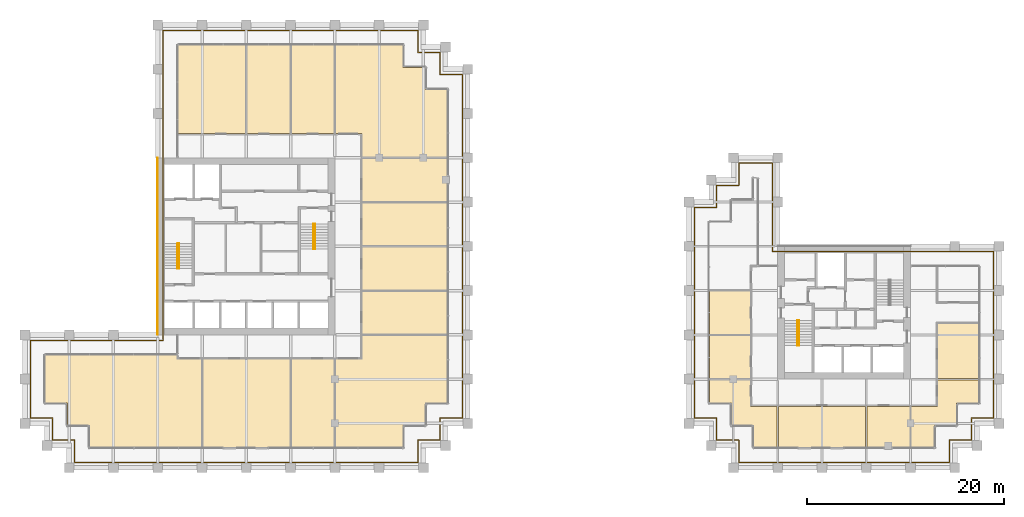
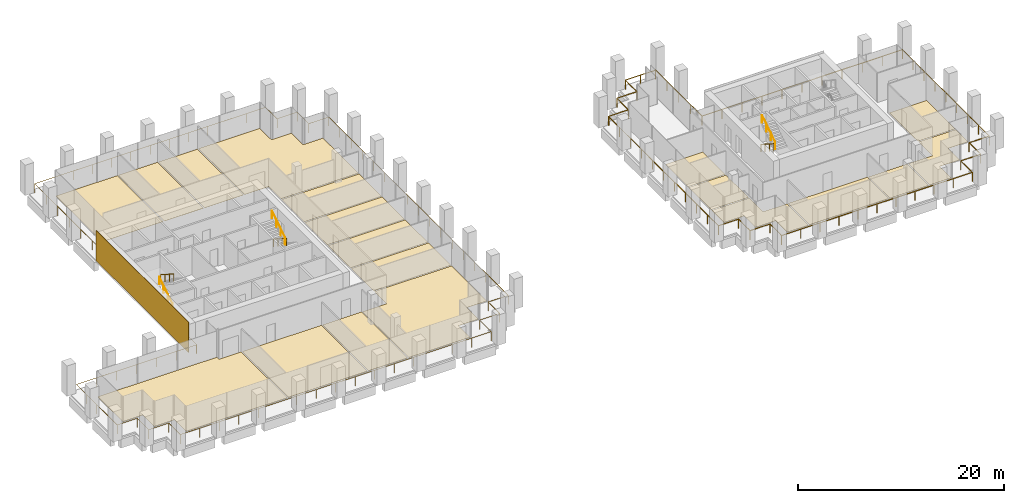
# One storey, part 46 of 47: 20 coverings, 8 railings.
"""IFC4 building model written with IfcOpenShell, lengths in metres."""

from ifc_helpers import new_model, si_unit, direction, frame, origin, origin_2d, place, context, subcontext, project, spatial, polyline, rectangle, circle, outline, extrude, source, transform, mapped, material, layer, layer_set, type_object, element, save


model = new_model("IFC4")

# Units and contexts
model_context = context("Model", 3, precision=1e-05, world=origin(), true_north=direction((0.0, 1.0)))
body_context = subcontext(model_context, "Body", "Model", "MODEL_VIEW")
ifc_project = project(units=[si_unit("LENGTHUNIT", "METRE"), si_unit("AREAUNIT", "SQUARE_METRE"), si_unit("VOLUMEUNIT", "CUBIC_METRE"), si_unit("PLANEANGLEUNIT", "RADIAN"), si_unit("MASSUNIT", "GRAM", prefix="KILO")], contexts=[model_context])

# Site, building, storey
site_placement = place(None, origin())
site = spatial("IfcSite", under=ifc_project, at=site_placement, CompositionType="ELEMENT")
building_placement = place(site_placement, origin())
building = spatial("IfcBuilding", under=site, at=building_placement, Name="Altepetl Exchange Towers", CompositionType="ELEMENT")
storey_placement = place(building_placement, frame((0.0, 0.0, 99.199951171875)))
storey = spatial("IfcBuildingStorey", under=building, at=storey_placement, Name="L24", CompositionType="ELEMENT", Elevation=99.199951171875)

# Coverings
ifc_material_1 = material(Name="Carpet tile")
ifc_layer_1 = layer(ifc_material_1, 0.02001953125)
ifc_layer_set_1 = layer_set([ifc_layer_1], Name="Carpet tile")
covering_type_1 = type_object("IfcCoveringType", Name="Carpet tile floor", PredefinedType="FLOORING", material=ifc_layer_set_1)
covering_1_placement = place(storey_placement, origin())
element("IfcCovering", 1, at=covering_1_placement, inside=storey, type_object=covering_type_1, Name="Open office floor finish A24.01", PredefinedType="FLOORING", context=body_context, shape_type="SweptSolid", body=[
    extrude(outline(polyline([(33.5625, 29.0625), (44.9375, 29.0625), (44.9375, 38.03759765625), (42.4375, 38.03759765625), (42.4375, 38.4375), (29.0625, 38.4375), (29.0625, 33.5625), (31.3125, 33.5625), (31.3125, 31.3125), (33.5625, 31.3125), (33.5625, 29.0625)])), origin(), (0.0, 0.0, 1.0), 0.02001953125),
])
covering_2_placement = place(storey_placement, origin())
element("IfcCovering", 2, at=covering_2_placement, inside=storey, type_object=covering_type_1, Name="Cowork office floor finish A24.04", PredefinedType="FLOORING", context=body_context, shape_type="SweptSolid", body=[
    extrude(outline(polyline([(58.5625, 38.03759765625), (58.5625, 29.0625), (65.4375, 29.0625), (65.4375, 31.3125), (67.6875, 31.3125), (67.6875, 33.5625), (69.9375, 33.5625), (69.9375, 40.4375), (61.262451171875, 40.4375), (61.262451171875, 38.03759765625), (58.5625, 38.03759765625)])), origin(), (0.0, 0.0, 1.0), 0.02001953125),
])
covering_3_placement = place(storey_placement, origin())
element("IfcCovering", 3, at=covering_3_placement, inside=storey, type_object=covering_type_1, Name="Meeting room floor finish A24.05", PredefinedType="FLOORING", context=body_context, shape_type="SweptSolid", body=[
    extrude(outline(polyline([(69.9375, 44.9375), (61.262451171875, 44.9375), (61.262451171875, 40.5625), (69.9375, 40.5625), (69.9375, 44.9375)])), origin(), (0.0, 0.0, 1.0), 0.02001953125),
])
covering_4_placement = place(storey_placement, origin())
element("IfcCovering", 4, at=covering_4_placement, inside=storey, type_object=covering_type_1, Name="Training room floor finish A24.06", PredefinedType="FLOORING", context=body_context, shape_type="SweptSolid", body=[
    extrude(outline(polyline([(69.9375, 49.4375), (61.262451171875, 49.4375), (61.262451171875, 45.0625), (69.9375, 45.0625), (69.9375, 49.4375)])), origin(), (0.0, 0.0, 1.0), 0.02001953125),
])
covering_5_placement = place(storey_placement, origin())
element("IfcCovering", 5, at=covering_5_placement, inside=storey, type_object=covering_type_1, Name="Meeting room floor finish A24.07", PredefinedType="FLOORING", context=body_context, shape_type="SweptSolid", body=[
    extrude(outline(polyline([(69.9375, 53.9375), (61.262451171875, 53.9375), (61.262451171875, 49.5625), (69.9375, 49.5625), (69.9375, 53.9375)])), origin(), (0.0, 0.0, 1.0), 0.02001953125),
])
covering_6_placement = place(storey_placement, origin())
element("IfcCovering", 6, at=covering_6_placement, inside=storey, type_object=covering_type_1, Name="Training room floor finish A24.08", PredefinedType="FLOORING", context=body_context, shape_type="SweptSolid", body=[
    extrude(outline(polyline([(69.9375, 58.4375), (61.262451171875, 58.4375), (61.262451171875, 54.0625), (69.9375, 54.0625), (69.9375, 58.4375)])), origin(), (0.0, 0.0, 1.0), 0.02001953125),
])
covering_7_placement = place(storey_placement, origin())
element("IfcCovering", 7, at=covering_7_placement, inside=storey, type_object=covering_type_1, Name="Cowork office floor finish A24.10", PredefinedType="FLOORING", context=body_context, shape_type="SweptSolid", body=[
    extrude(outline(polyline([(58.4375, 60.96240234375), (58.4375, 69.9375), (54.0625, 69.9375), (54.0625, 60.96240234375), (58.4375, 60.96240234375)])), origin(), (0.0, 0.0, 1.0), 0.02001953125),
])
covering_8_placement = place(storey_placement, origin())
element("IfcCovering", 8, at=covering_8_placement, inside=storey, type_object=covering_type_1, Name="Open office floor finish A24.12", PredefinedType="FLOORING", context=body_context, shape_type="SweptSolid", body=[
    extrude(outline(polyline([(49.4375, 60.96240234375), (49.4375, 69.9375), (42.5625, 69.9375), (42.5625, 60.96240234375), (49.4375, 60.96240234375)])), origin(), (0.0, 0.0, 1.0), 0.02001953125),
])
covering_9_placement = place(storey_placement, origin())
element("IfcCovering", 9, at=covering_9_placement, inside=storey, type_object=covering_type_1, Name="Huddle room floor finish B24.01", PredefinedType="FLOORING", context=body_context, shape_type="SweptSolid", body=[
    extrude(outline(polyline([(100.737548828125, 44.9375), (96.5625, 44.9375), (96.5625, 40.5625), (100.737548828125, 40.5625), (100.737548828125, 44.9375)])), origin(), (0.0, 0.0, 1.0), 0.02001953125),
])
covering_10_placement = place(storey_placement, origin())
element("IfcCovering", 10, at=covering_10_placement, inside=storey, type_object=covering_type_1, Name="Huddle room floor finish B24.02", PredefinedType="FLOORING", context=body_context, shape_type="SweptSolid", body=[
    extrude(outline(polyline([(100.737548828125, 40.4375), (96.5625, 40.4375), (96.5625, 36.0625), (100.737548828125, 36.0625), (100.737548828125, 40.4375)])), origin(), (0.0, 0.0, 1.0), 0.02001953125),
])
covering_11_placement = place(storey_placement, origin())
element("IfcCovering", 11, at=covering_11_placement, inside=storey, type_object=covering_type_1, Name="Open office floor finish B24.03", PredefinedType="FLOORING", context=body_context, shape_type="SweptSolid", body=[
    extrude(outline(polyline([(100.737548828125, 35.9375), (96.5625, 35.9375), (96.5625, 33.5625), (98.8125, 33.5625), (98.8125, 31.3125), (101.0625, 31.3125), (101.0625, 29.0625), (103.4375, 29.0625), (103.4375, 33.237548828125), (100.737548828125, 33.237548828125), (100.737548828125, 35.9375)])), origin(), (0.0, 0.0, 1.0), 0.02001953125),
])
covering_12_placement = place(storey_placement, origin())
element("IfcCovering", 12, at=covering_12_placement, inside=storey, type_object=covering_type_1, Name="Huddle room floor finish B24.05", PredefinedType="FLOORING", context=body_context, shape_type="SweptSolid", body=[
    extrude(outline(polyline([(112.5625, 33.237548828125), (112.5625, 29.0625), (116.9375, 29.0625), (116.9375, 33.237548828125), (112.5625, 33.237548828125)])), origin(), (0.0, 0.0, 1.0), 0.02001953125),
])
covering_13_placement = place(storey_placement, origin())
element("IfcCovering", 13, at=covering_13_placement, inside=storey, type_object=covering_type_1, Name="Open office floor finish B24.06", PredefinedType="FLOORING", context=body_context, shape_type="SweptSolid", body=[
    extrude(outline(polyline([(117.0625, 33.237548828125), (117.0625, 29.0625), (119.4375, 29.0625), (119.4375, 31.3125), (121.6875, 31.3125), (121.6875, 33.5625), (123.9375, 33.5625), (123.9375, 35.9375), (119.762451171875, 35.9375), (119.762451171875, 33.237548828125), (117.0625, 33.237548828125)])), origin(), (0.0, 0.0, 1.0), 0.02001953125),
])
covering_14_placement = place(storey_placement, origin())
element("IfcCovering", 14, at=covering_14_placement, inside=storey, type_object=covering_type_1, Name="Research office floor finish B24.07", PredefinedType="FLOORING", context=body_context, shape_type="SweptSolid", body=[
    extrude(outline(polyline([(119.762451171875, 41.637451171875), (119.762451171875, 36.0625), (123.9375, 36.0625), (123.9375, 41.637451171875), (119.762451171875, 41.637451171875)])), origin(), (0.0, 0.0, 1.0), 0.02001953125),
])
ifc_material_2 = material(Name="Cantera stone", Category="masonry")
ifc_layer_2 = layer(ifc_material_2, 0.030029296875)
ifc_layer_set_2 = layer_set([ifc_layer_2], Name="Cantera stone")
covering_type_2 = type_object("IfcCoveringType", Name="Polished stone floor", PredefinedType="FLOORING", material=ifc_layer_set_2)
covering_15_placement = place(storey_placement, origin())
element("IfcCovering", 15, at=covering_15_placement, inside=storey, type_object=covering_type_2, Name="Cafe floor finish A24.02", PredefinedType="FLOORING", context=body_context, shape_type="SweptSolid", body=[
    extrude(outline(polyline([(45.0625, 38.03759765625), (45.0625, 29.0625), (53.9375, 29.0625), (53.9375, 38.03759765625), (45.0625, 38.03759765625)])), origin(), (0.0, 0.0, 1.0), 0.030029296875),
])
covering_16_placement = place(storey_placement, origin())
element("IfcCovering", 16, at=covering_16_placement, inside=storey, type_object=covering_type_2, Name="Cafe floor finish A24.03", PredefinedType="FLOORING", context=body_context, shape_type="SweptSolid", body=[
    extrude(outline(polyline([(54.0625, 38.03759765625), (54.0625, 29.0625), (58.4375, 29.0625), (58.4375, 38.03759765625), (54.0625, 38.03759765625)])), origin(), (0.0, 0.0, 1.0), 0.030029296875),
])
covering_17_placement = place(storey_placement, origin())
element("IfcCovering", 17, at=covering_17_placement, inside=storey, type_object=covering_type_2, Name="Cafe floor finish A24.09", PredefinedType="FLOORING", context=body_context, shape_type="SweptSolid", body=[
    extrude(outline(polyline([(65.4375, 69.9375), (58.5625, 69.9375), (58.5625, 60.96240234375), (61.262451171875, 60.96240234375), (61.262451171875, 58.5625), (69.9375, 58.5625), (69.9375, 65.4375), (67.6875, 65.4375), (67.6875, 67.6875), (65.4375, 67.6875), (65.4375, 69.9375)])), origin(), (0.0, 0.0, 1.0), 0.030029296875),
])
covering_18_placement = place(storey_placement, origin())
element("IfcCovering", 18, at=covering_18_placement, inside=storey, type_object=covering_type_2, Name="Cafe floor finish A24.11", PredefinedType="FLOORING", context=body_context, shape_type="SweptSolid", body=[
    extrude(outline(polyline([(53.9375, 60.96240234375), (53.9375, 69.9375), (49.5625, 69.9375), (49.5625, 60.96240234375), (53.9375, 60.96240234375)])), origin(), (0.0, 0.0, 1.0), 0.030029296875),
])
covering_19_placement = place(storey_placement, origin())
element("IfcCovering", 19, at=covering_19_placement, inside=storey, type_object=covering_type_2, Name="Staff club floor finish B24.04", PredefinedType="FLOORING", context=body_context, shape_type="SweptSolid", body=[
    extrude(outline(polyline([(103.5625, 33.237548828125), (103.5625, 29.0625), (112.4375, 29.0625), (112.4375, 33.237548828125), (103.5625, 33.237548828125)])), origin(), (0.0, 0.0, 1.0), 0.030029296875),
])
ifc_material_3 = material(Name="Cantera limestone cladding", Category="masonry")
ifc_layer_3 = layer(ifc_material_3, 0.0400390625)
ifc_layer_set_3 = layer_set([ifc_layer_3], Name="Cantera limestone cladding")
covering_type_3 = type_object("IfcCoveringType", Name="Stone panel 40 cantera", PredefinedType="CLADDING", material=ifc_layer_set_3)
covering_20_placement = place(storey_placement, frame((40.47998046875, 49.5, 0.0), z_axis=(0.0, 0.0, 1.0), x_axis=(0.0, -1.0, 0.0)))
element("IfcCovering", 20, at=covering_20_placement, inside=storey, type_object=covering_type_3, Name="Stone cladding panel", PredefinedType="CLADDING", context=body_context, shape_type="SweptSolid", body=[
    extrude(rectangle(XDim=18.0, YDim=0.0400390625, at=origin_2d()), origin(), (0.0, 0.0, 1.0), 3.60009765625),
])

# Railings
ifc_material_4 = material(Name="Steel S355", Category="steel")
railing_type_1 = type_object("IfcRailingType", Name="Guard 1100 steel posts and rail", PredefinedType="GUARDRAIL", material=ifc_material_4)
shared_shape_1 = source(origin(), body_context, "Body", "SweptSolid", [
    extrude(circle(Radius=0.02099609375, at=origin_2d()), origin(), (0.0, 0.0, 1.0), 1.052001953125),
])
railing_1_placement = place(storey_placement, frame((41.050048828125, 39.949951171875, 0.0)))
element("IfcRailing", 21, at=railing_1_placement, inside=storey, type_object=railing_type_1, Name="Loggia guard", PredefinedType="GUARDRAIL", context=body_context, shape_type="SweptSolid", body=[
    extrude(circle(Radius=0.02392578125, at=origin_2d()), frame((0.0, 0.0, 1.076171875), z_axis=(-1.0, 0.0, 0.0), x_axis=(0.0, -1.0, 0.0)), (0.0, 0.0, 1.0), 13.5),
    extrude(circle(Radius=0.02392578125, at=origin_2d()), frame((-13.5, 0.0, 1.076171875), z_axis=(0.0, -1.0, 0.0), x_axis=(1.0, 0.0, 0.0)), (0.0, 0.0, 1.0), 7.89990234375),
    extrude(circle(Radius=0.02392578125, at=origin_2d()), frame((-13.5, -7.89990234375, 1.076171875), z_axis=(1.0, 0.0, 0.0), x_axis=(0.0, 1.0, 0.0)), (0.0, 0.0, 1.0), 2.25),
    extrude(circle(Radius=0.02392578125, at=origin_2d()), frame((-11.25, -7.89990234375, 1.076171875), z_axis=(0.0, -1.0, 0.0), x_axis=(1.0, 0.0, 0.0)), (0.0, 0.0, 1.0), 2.25),
    extrude(circle(Radius=0.02392578125, at=origin_2d()), frame((-11.25, -10.14990234375, 1.076171875), z_axis=(1.0, 0.0, 0.0), x_axis=(0.0, 1.0, 0.0)), (0.0, 0.0, 1.0), 2.25),
    extrude(circle(Radius=0.02392578125, at=origin_2d()), frame((-9.0, -10.14990234375, 1.076171875), z_axis=(0.0, -1.0, 0.0), x_axis=(1.0, 0.0, 0.0)), (0.0, 0.0, 1.0), 2.25),
    extrude(circle(Radius=0.02392578125, at=origin_2d()), frame((-9.0, -12.39990234375, 1.076171875), z_axis=(1.0, 0.0, 0.0), x_axis=(0.0, 1.0, 0.0)), (0.0, 0.0, 1.0), 34.89990234375),
    extrude(circle(Radius=0.02392578125, at=origin_2d()), frame((25.89990234375, -12.39990234375, 1.076171875), z_axis=(0.0, 1.0, 0.0), x_axis=(-1.0, 0.0, 0.0)), (0.0, 0.0, 1.0), 2.25),
    extrude(circle(Radius=0.02392578125, at=origin_2d()), frame((25.89990234375, -10.14990234375, 1.076171875), z_axis=(1.0, 0.0, 0.0), x_axis=(0.0, 1.0, 0.0)), (0.0, 0.0, 1.0), 2.25),
    extrude(circle(Radius=0.02392578125, at=origin_2d()), frame((28.14990234375, -10.14990234375, 1.076171875), z_axis=(0.0, 1.0, 0.0), x_axis=(-1.0, 0.0, 0.0)), (0.0, 0.0, 1.0), 2.25),
    extrude(circle(Radius=0.02392578125, at=origin_2d()), frame((28.14990234375, -7.89990234375, 1.076171875), z_axis=(1.0, 0.0, 0.0), x_axis=(0.0, 1.0, 0.0)), (0.0, 0.0, 1.0), 2.25),
    extrude(circle(Radius=0.02392578125, at=origin_2d()), frame((30.39990234375, -7.89990234375, 1.076171875), z_axis=(0.0, 1.0, 0.0), x_axis=(-1.0, 0.0, 0.0)), (0.0, 0.0, 1.0), 34.89990234375),
    extrude(circle(Radius=0.02392578125, at=origin_2d()), frame((30.39990234375, 27.0, 1.076171875), z_axis=(-1.0, 0.0, 0.0), x_axis=(0.0, -1.0, 0.0)), (0.0, 0.0, 1.0), 2.25),
    extrude(circle(Radius=0.02392578125, at=origin_2d()), frame((28.14990234375, 27.0, 1.076171875), z_axis=(0.0, 1.0, 0.0), x_axis=(-1.0, 0.0, 0.0)), (0.0, 0.0, 1.0), 2.25),
    extrude(circle(Radius=0.02392578125, at=origin_2d()), frame((28.14990234375, 29.25, 1.076171875), z_axis=(-1.0, 0.0, 0.0), x_axis=(0.0, -1.0, 0.0)), (0.0, 0.0, 1.0), 2.25),
    extrude(circle(Radius=0.02392578125, at=origin_2d()), frame((25.89990234375, 29.25, 1.076171875), z_axis=(0.0, 1.0, 0.0), x_axis=(-1.0, 0.0, 0.0)), (0.0, 0.0, 1.0), 2.25),
    extrude(circle(Radius=0.02392578125, at=origin_2d()), frame((25.89990234375, 31.5, 1.076171875), z_axis=(-1.0, 0.0, 0.0), x_axis=(0.0, -1.0, 0.0)), (0.0, 0.0, 1.0), 25.89990234375),
    extrude(circle(Radius=0.02392578125, at=origin_2d()), frame((0.0, 31.5, 1.076171875), z_axis=(0.0, -1.0, 0.0), x_axis=(1.0, 0.0, 0.0)), (0.0, 0.0, 1.0), 31.39990234375),
    mapped(shared_shape_1, transform((0.0, 0.0, 0.0))),
    mapped(shared_shape_1, transform((-2.25, 0.0, 0.0))),
    mapped(shared_shape_1, transform((-4.5, 0.0, 0.0))),
    mapped(shared_shape_1, transform((-6.75, 0.0, 0.0))),
    mapped(shared_shape_1, transform((-9.0, 0.0, 0.0))),
    mapped(shared_shape_1, transform((-11.25, 0.0, 0.0))),
    mapped(shared_shape_1, transform((-13.5, 0.0, 0.0))),
    mapped(shared_shape_1, transform((-13.5, -1.97509765625, 0.0))),
    mapped(shared_shape_1, transform((-13.5, -3.949951171875, 0.0))),
    mapped(shared_shape_1, transform((-13.5, -5.9248046875, 0.0))),
    mapped(shared_shape_1, transform((-13.5, -7.89990234375, 0.0))),
    mapped(shared_shape_1, transform((-11.25, -7.89990234375, 0.0))),
    mapped(shared_shape_1, transform((-11.25, -10.14990234375, 0.0))),
    mapped(shared_shape_1, transform((-9.0, -10.14990234375, 0.0))),
    mapped(shared_shape_1, transform((-9.0, -12.39990234375, 0.0))),
    mapped(shared_shape_1, transform((-6.81884765625, -12.39990234375, 0.0))),
    mapped(shared_shape_1, transform((-4.637451171875, -12.39990234375, 0.0))),
    mapped(shared_shape_1, transform((-2.456298828125, -12.39990234375, 0.0))),
    mapped(shared_shape_1, transform((-0.27490234375, -12.39990234375, 0.0))),
    mapped(shared_shape_1, transform((1.90625, -12.39990234375, 0.0))),
    mapped(shared_shape_1, transform((4.08740234375, -12.39990234375, 0.0))),
    mapped(shared_shape_1, transform((6.268798828125, -12.39990234375, 0.0))),
    mapped(shared_shape_1, transform((8.449951171875, -12.39990234375, 0.0))),
    mapped(shared_shape_1, transform((10.631103515625, -12.39990234375, 0.0))),
    mapped(shared_shape_1, transform((12.8125, -12.39990234375, 0.0))),
    mapped(shared_shape_1, transform((14.99365234375, -12.39990234375, 0.0))),
    mapped(shared_shape_1, transform((17.1748046875, -12.39990234375, 0.0))),
    mapped(shared_shape_1, transform((19.356201171875, -12.39990234375, 0.0))),
    mapped(shared_shape_1, transform((21.537353515625, -12.39990234375, 0.0))),
    mapped(shared_shape_1, transform((23.71875, -12.39990234375, 0.0))),
    mapped(shared_shape_1, transform((25.89990234375, -12.39990234375, 0.0))),
    mapped(shared_shape_1, transform((25.89990234375, -10.14990234375, 0.0))),
    mapped(shared_shape_1, transform((28.14990234375, -10.14990234375, 0.0))),
    mapped(shared_shape_1, transform((28.14990234375, -7.89990234375, 0.0))),
    mapped(shared_shape_1, transform((30.39990234375, -7.89990234375, 0.0))),
    mapped(shared_shape_1, transform((30.39990234375, -5.71875, 0.0))),
    mapped(shared_shape_1, transform((30.39990234375, -3.537353515625, 0.0))),
    mapped(shared_shape_1, transform((30.39990234375, -1.356201171875, 0.0))),
    mapped(shared_shape_1, transform((30.39990234375, 0.8251953125, 0.0))),
    mapped(shared_shape_1, transform((30.39990234375, 3.00634765625, 0.0))),
    mapped(shared_shape_1, transform((30.39990234375, 5.1875, 0.0))),
    mapped(shared_shape_1, transform((30.39990234375, 7.368896484375, 0.0))),
    mapped(shared_shape_1, transform((30.39990234375, 9.550048828125, 0.0))),
    mapped(shared_shape_1, transform((30.39990234375, 11.731201171875, 0.0))),
    mapped(shared_shape_1, transform((30.39990234375, 13.91259765625, 0.0))),
    mapped(shared_shape_1, transform((30.39990234375, 16.09375, 0.0))),
    mapped(shared_shape_1, transform((30.39990234375, 18.27490234375, 0.0))),
    mapped(shared_shape_1, transform((30.39990234375, 20.456298828125, 0.0))),
    mapped(shared_shape_1, transform((30.39990234375, 22.637451171875, 0.0))),
    mapped(shared_shape_1, transform((30.39990234375, 24.81884765625, 0.0))),
    mapped(shared_shape_1, transform((30.39990234375, 27.0, 0.0))),
    mapped(shared_shape_1, transform((28.14990234375, 27.0, 0.0))),
    mapped(shared_shape_1, transform((28.14990234375, 29.25, 0.0))),
    mapped(shared_shape_1, transform((25.89990234375, 29.25, 0.0))),
    mapped(shared_shape_1, transform((25.89990234375, 31.5, 0.0))),
    mapped(shared_shape_1, transform((23.74169921875, 31.5, 0.0))),
    mapped(shared_shape_1, transform((21.583251953125, 31.5, 0.0))),
    mapped(shared_shape_1, transform((19.4248046875, 31.5, 0.0))),
    mapped(shared_shape_1, transform((17.2666015625, 31.5, 0.0))),
    mapped(shared_shape_1, transform((15.1083984375, 31.5, 0.0))),
    mapped(shared_shape_1, transform((12.949951171875, 31.5, 0.0))),
    mapped(shared_shape_1, transform((10.79150390625, 31.5, 0.0))),
    mapped(shared_shape_1, transform((8.63330078125, 31.5, 0.0))),
    mapped(shared_shape_1, transform((6.47509765625, 31.5, 0.0))),
    mapped(shared_shape_1, transform((4.316650390625, 31.5, 0.0))),
    mapped(shared_shape_1, transform((2.158203125, 31.5, 0.0))),
    mapped(shared_shape_1, transform((0.0, 31.5, 0.0))),
    mapped(shared_shape_1, transform((0.0, 29.257080078125, 0.0))),
    mapped(shared_shape_1, transform((0.0, 27.014404296875, 0.0))),
    mapped(shared_shape_1, transform((0.0, 24.771484375, 0.0))),
    mapped(shared_shape_1, transform((0.0, 22.528564453125, 0.0))),
    mapped(shared_shape_1, transform((0.0, 20.28564453125, 0.0))),
    mapped(shared_shape_1, transform((0.0, 18.04296875, 0.0))),
    mapped(shared_shape_1, transform((0.0, 15.800048828125, 0.0))),
    mapped(shared_shape_1, transform((0.0, 13.55712890625, 0.0))),
    mapped(shared_shape_1, transform((0.0, 11.314453125, 0.0))),
    mapped(shared_shape_1, transform((0.0, 9.071533203125, 0.0))),
    mapped(shared_shape_1, transform((0.0, 6.82861328125, 0.0))),
    mapped(shared_shape_1, transform((0.0, 4.585693359375, 0.0))),
    mapped(shared_shape_1, transform((0.0, 2.343017578125, 0.0))),
    mapped(shared_shape_1, transform((0.0, 0.10009765625, 0.0))),
])
railing_2_placement = place(storey_placement, frame((95.050048828125, 53.449951171875, 0.0)))
element("IfcRailing", 22, at=railing_2_placement, inside=storey, type_object=railing_type_1, Name="Loggia guard", PredefinedType="GUARDRAIL", context=body_context, shape_type="SweptSolid", body=[
    extrude(circle(Radius=0.02392578125, at=origin_2d()), frame((0.0, 0.0, 1.076171875), z_axis=(0.0, -1.0, 0.0), x_axis=(1.0, 0.0, 0.0)), (0.0, 0.0, 1.0), 21.39990234375),
    extrude(circle(Radius=0.02392578125, at=origin_2d()), frame((0.0, -21.39990234375, 1.076171875), z_axis=(1.0, 0.0, 0.0), x_axis=(0.0, 1.0, 0.0)), (0.0, 0.0, 1.0), 2.25),
    extrude(circle(Radius=0.02392578125, at=origin_2d()), frame((2.25, -21.39990234375, 1.076171875), z_axis=(0.0, -1.0, 0.0), x_axis=(1.0, 0.0, 0.0)), (0.0, 0.0, 1.0), 2.25),
    extrude(circle(Radius=0.02392578125, at=origin_2d()), frame((2.25, -23.64990234375, 1.076171875), z_axis=(1.0, 0.0, 0.0), x_axis=(0.0, 1.0, 0.0)), (0.0, 0.0, 1.0), 2.25),
    extrude(circle(Radius=0.02392578125, at=origin_2d()), frame((4.5, -23.64990234375, 1.076171875), z_axis=(0.0, -1.0, 0.0), x_axis=(1.0, 0.0, 0.0)), (0.0, 0.0, 1.0), 2.25),
    extrude(circle(Radius=0.02392578125, at=origin_2d()), frame((4.5, -25.89990234375, 1.076171875), z_axis=(1.0, 0.0, 0.0), x_axis=(0.0, 1.0, 0.0)), (0.0, 0.0, 1.0), 21.39990234375),
    extrude(circle(Radius=0.02392578125, at=origin_2d()), frame((25.89990234375, -25.89990234375, 1.076171875), z_axis=(0.0, 1.0, 0.0), x_axis=(-1.0, 0.0, 0.0)), (0.0, 0.0, 1.0), 2.25),
    extrude(circle(Radius=0.02392578125, at=origin_2d()), frame((25.89990234375, -23.64990234375, 1.076171875), z_axis=(1.0, 0.0, 0.0), x_axis=(0.0, 1.0, 0.0)), (0.0, 0.0, 1.0), 2.25),
    extrude(circle(Radius=0.02392578125, at=origin_2d()), frame((28.14990234375, -23.64990234375, 1.076171875), z_axis=(0.0, 1.0, 0.0), x_axis=(-1.0, 0.0, 0.0)), (0.0, 0.0, 1.0), 2.25),
    extrude(circle(Radius=0.02392578125, at=origin_2d()), frame((28.14990234375, -21.39990234375, 1.076171875), z_axis=(1.0, 0.0, 0.0), x_axis=(0.0, 1.0, 0.0)), (0.0, 0.0, 1.0), 2.25),
    extrude(circle(Radius=0.02392578125, at=origin_2d()), frame((30.39990234375, -21.39990234375, 1.076171875), z_axis=(0.0, 1.0, 0.0), x_axis=(-1.0, 0.0, 0.0)), (0.0, 0.0, 1.0), 16.89990234375),
    extrude(circle(Radius=0.02392578125, at=origin_2d()), frame((30.39990234375, -4.5, 1.076171875), z_axis=(-1.0, 0.0, 0.0), x_axis=(0.0, -1.0, 0.0)), (0.0, 0.0, 1.0), 22.5),
    extrude(circle(Radius=0.02392578125, at=origin_2d()), frame((7.89990234375, -4.5, 1.076171875), z_axis=(0.0, 1.0, 0.0), x_axis=(-1.0, 0.0, 0.0)), (0.0, 0.0, 1.0), 9.0),
    extrude(circle(Radius=0.02392578125, at=origin_2d()), frame((7.89990234375, 4.5, 1.076171875), z_axis=(-1.0, 0.0, 0.0), x_axis=(0.0, -1.0, 0.0)), (0.0, 0.0, 1.0), 3.39990234375),
    extrude(circle(Radius=0.02392578125, at=origin_2d()), frame((4.5, 4.5, 1.076171875), z_axis=(0.0, -1.0, 0.0), x_axis=(1.0, 0.0, 0.0)), (0.0, 0.0, 1.0), 2.25),
    extrude(circle(Radius=0.02392578125, at=origin_2d()), frame((4.5, 2.25, 1.076171875), z_axis=(-1.0, 0.0, 0.0), x_axis=(0.0, -1.0, 0.0)), (0.0, 0.0, 1.0), 2.25),
    extrude(circle(Radius=0.02392578125, at=origin_2d()), frame((2.25, 2.25, 1.076171875), z_axis=(0.0, -1.0, 0.0), x_axis=(1.0, 0.0, 0.0)), (0.0, 0.0, 1.0), 2.25),
    extrude(circle(Radius=0.02392578125, at=origin_2d()), frame((2.25, 0.0, 1.076171875), z_axis=(-1.0, 0.0, 0.0), x_axis=(0.0, -1.0, 0.0)), (0.0, 0.0, 1.0), 2.150146484375),
    mapped(shared_shape_1, transform((0.0, 0.0, 0.0))),
    mapped(shared_shape_1, transform((0.0, -2.139892578125, 0.0))),
    mapped(shared_shape_1, transform((0.0, -4.280029296875, 0.0))),
    mapped(shared_shape_1, transform((0.0, -6.419921875, 0.0))),
    mapped(shared_shape_1, transform((0.0, -8.56005859375, 0.0))),
    mapped(shared_shape_1, transform((0.0, -10.699951171875, 0.0))),
    mapped(shared_shape_1, transform((0.0, -12.83984375, 0.0))),
    mapped(shared_shape_1, transform((0.0, -14.97998046875, 0.0))),
    mapped(shared_shape_1, transform((0.0, -17.119873046875, 0.0))),
    mapped(shared_shape_1, transform((0.0, -19.260009765625, 0.0))),
    mapped(shared_shape_1, transform((0.0, -21.39990234375, 0.0))),
    mapped(shared_shape_1, transform((2.25, -21.39990234375, 0.0))),
    mapped(shared_shape_1, transform((2.25, -23.64990234375, 0.0))),
    mapped(shared_shape_1, transform((4.5, -23.64990234375, 0.0))),
    mapped(shared_shape_1, transform((4.5, -25.89990234375, 0.0))),
    mapped(shared_shape_1, transform((6.639892578125, -25.89990234375, 0.0))),
    mapped(shared_shape_1, transform((8.780029296875, -25.89990234375, 0.0))),
    mapped(shared_shape_1, transform((10.919921875, -25.89990234375, 0.0))),
    mapped(shared_shape_1, transform((13.06005859375, -25.89990234375, 0.0))),
    mapped(shared_shape_1, transform((15.199951171875, -25.89990234375, 0.0))),
    mapped(shared_shape_1, transform((17.33984375, -25.89990234375, 0.0))),
    mapped(shared_shape_1, transform((19.47998046875, -25.89990234375, 0.0))),
    mapped(shared_shape_1, transform((21.619873046875, -25.89990234375, 0.0))),
    mapped(shared_shape_1, transform((23.760009765625, -25.89990234375, 0.0))),
    mapped(shared_shape_1, transform((25.89990234375, -25.89990234375, 0.0))),
    mapped(shared_shape_1, transform((25.89990234375, -23.64990234375, 0.0))),
    mapped(shared_shape_1, transform((28.14990234375, -23.64990234375, 0.0))),
    mapped(shared_shape_1, transform((28.14990234375, -21.39990234375, 0.0))),
    mapped(shared_shape_1, transform((30.39990234375, -21.39990234375, 0.0))),
    mapped(shared_shape_1, transform((30.39990234375, -19.287353515625, 0.0))),
    mapped(shared_shape_1, transform((30.39990234375, -17.1748046875, 0.0))),
    mapped(shared_shape_1, transform((30.39990234375, -15.0625, 0.0))),
    mapped(shared_shape_1, transform((30.39990234375, -12.949951171875, 0.0))),
    mapped(shared_shape_1, transform((30.39990234375, -10.83740234375, 0.0))),
    mapped(shared_shape_1, transform((30.39990234375, -8.72509765625, 0.0))),
    mapped(shared_shape_1, transform((30.39990234375, -6.612548828125, 0.0))),
    mapped(shared_shape_1, transform((30.39990234375, -4.5, 0.0))),
    mapped(shared_shape_1, transform((28.14990234375, -4.5, 0.0))),
    mapped(shared_shape_1, transform((25.89990234375, -4.5, 0.0))),
    mapped(shared_shape_1, transform((23.64990234375, -4.5, 0.0))),
    mapped(shared_shape_1, transform((21.39990234375, -4.5, 0.0))),
    mapped(shared_shape_1, transform((19.14990234375, -4.5, 0.0))),
    mapped(shared_shape_1, transform((16.89990234375, -4.5, 0.0))),
    mapped(shared_shape_1, transform((14.64990234375, -4.5, 0.0))),
    mapped(shared_shape_1, transform((12.39990234375, -4.5, 0.0))),
    mapped(shared_shape_1, transform((10.14990234375, -4.5, 0.0))),
    mapped(shared_shape_1, transform((7.89990234375, -4.5, 0.0))),
    mapped(shared_shape_1, transform((7.89990234375, -2.25, 0.0))),
    mapped(shared_shape_1, transform((7.89990234375, 0.0, 0.0))),
    mapped(shared_shape_1, transform((7.89990234375, 2.25, 0.0))),
    mapped(shared_shape_1, transform((7.89990234375, 4.5, 0.0))),
    mapped(shared_shape_1, transform((6.199951171875, 4.5, 0.0))),
    mapped(shared_shape_1, transform((4.5, 4.5, 0.0))),
    mapped(shared_shape_1, transform((4.5, 2.25, 0.0))),
    mapped(shared_shape_1, transform((2.25, 2.25, 0.0))),
    mapped(shared_shape_1, transform((2.25, 0.0, 0.0))),
    mapped(shared_shape_1, transform((0.099853515625, 0.0, 0.0))),
])
ifc_material_5 = material(Name="Steel", Category="steel")
railing_type_2 = type_object("IfcRailingType", Name="Stair handrail 50 steel tube", PredefinedType="HANDRAIL", material=ifc_material_5)
shared_shape_2 = source(origin(), body_context, "Body", "SweptSolid", [
    extrude(circle(Radius=0.02099609375, at=origin_2d()), origin(), (0.0, 0.0, 1.0), 0.851806640625),
])
railing_3_placement = place(storey_placement, frame((42.52001953125, 47.25, 0.179931640625)))
element("IfcRailing", 23, at=railing_3_placement, inside=storey, type_object=railing_type_2, Name="Stair handrail", PredefinedType="HANDRAIL", context=body_context, shape_type="SweptSolid", body=[
    extrude(circle(Radius=0.02392578125, at=origin_2d()), frame((0.0, 0.0, 0.8759765625), z_axis=(0.0, 0.841162588446, 0.540782303519), x_axis=(-1.0, 0.0, 0.0)), (0.0, 0.0, 1.0), 2.995849609375),
    mapped(shared_shape_2, transform((0.0, 0.0, 0.0))),
    mapped(shared_shape_2, transform((0.0, 0.840087890625, 0.5400390625))),
    mapped(shared_shape_2, transform((0.0, 1.679931640625, 1.080078125))),
    mapped(shared_shape_2, transform((0.0, 2.52001953125, 1.6201171875))),
])
for number, where, name in (
    (24, (42.679931640625, 49.77001953125, 1.97998046875), "Stair handrail"),
    (25, (56.47998046875, 51.75, 0.179931640625), "Stair handrail"),
):
    element("IfcRailing", number, at=place(storey_placement, frame(where)), inside=storey, type_object=railing_type_2, Name=name, PredefinedType="HANDRAIL", context=body_context, shape_type="SweptSolid", body=[
        extrude(circle(Radius=0.02392578125, at=origin_2d()), frame((0.0, 0.0, 0.8759765625), z_axis=(0.0, -0.841162588446, 0.540782303519), x_axis=(1.0, 0.0, 0.0)), (0.0, 0.0, 1.0), 2.995849609375),
        mapped(shared_shape_2, transform((0.0, 0.0, 0.0))),
        mapped(shared_shape_2, transform((0.0, -0.840087890625, 0.5400390625))),
        mapped(shared_shape_2, transform((0.0, -1.679931640625, 1.080078125))),
        mapped(shared_shape_2, transform((0.0, -2.52001953125, 1.6201171875))),
    ])
railing_4_placement = place(storey_placement, frame((56.320068359375, 49.22998046875, 1.97998046875)))
element("IfcRailing", 26, at=railing_4_placement, inside=storey, type_object=railing_type_2, Name="Stair handrail", PredefinedType="HANDRAIL", context=body_context, shape_type="SweptSolid", body=[
    extrude(circle(Radius=0.02392578125, at=origin_2d()), frame((0.0, 0.0, 0.8759765625), z_axis=(0.0, 0.841162588446, 0.540782303519), x_axis=(-1.0, 0.0, 0.0)), (0.0, 0.0, 1.0), 2.995849609375),
    mapped(shared_shape_2, transform((0.0, 0.0, 0.0))),
    mapped(shared_shape_2, transform((0.0, 0.840087890625, 0.5400390625))),
    mapped(shared_shape_2, transform((0.0, 1.679931640625, 1.080078125))),
    mapped(shared_shape_2, transform((0.0, 2.52001953125, 1.6201171875))),
])
railing_5_placement = place(storey_placement, frame((105.52001953125, 41.949951171875, 0.179931640625)))
element("IfcRailing", 27, at=railing_5_placement, inside=storey, type_object=railing_type_2, Name="Stair handrail", PredefinedType="HANDRAIL", context=body_context, shape_type="SweptSolid", body=[
    extrude(circle(Radius=0.02392578125, at=origin_2d()), frame((0.0, 0.0, 0.8759765625), z_axis=(0.0, -0.841162588446, 0.540782303519), x_axis=(1.0, 0.0, 0.0)), (0.0, 0.0, 1.0), 2.995849609375),
    mapped(shared_shape_2, transform((0.0, 0.0, 0.0))),
    mapped(shared_shape_2, transform((0.0, -0.840087890625, 0.5400390625))),
    mapped(shared_shape_2, transform((0.0, -1.679931640625, 1.080078125))),
    mapped(shared_shape_2, transform((0.0, -2.52001953125, 1.6201171875))),
])
railing_6_placement = place(storey_placement, frame((105.679931640625, 39.429931640625, 1.97998046875)))
element("IfcRailing", 28, at=railing_6_placement, inside=storey, type_object=railing_type_2, Name="Stair handrail", PredefinedType="HANDRAIL", context=body_context, shape_type="SweptSolid", body=[
    extrude(circle(Radius=0.02392578125, at=origin_2d()), frame((0.0, 0.0, 0.8759765625), z_axis=(0.0, 0.841162588446, 0.540782303519), x_axis=(-1.0, 0.0, 0.0)), (0.0, 0.0, 1.0), 2.995849609375),
    mapped(shared_shape_2, transform((0.0, 0.0, 0.0))),
    mapped(shared_shape_2, transform((0.0, 0.840087890625, 0.5400390625))),
    mapped(shared_shape_2, transform((0.0, 1.679931640625, 1.080078125))),
    mapped(shared_shape_2, transform((0.0, 2.52001953125, 1.6201171875))),
])

save(model, "model.ifc")
